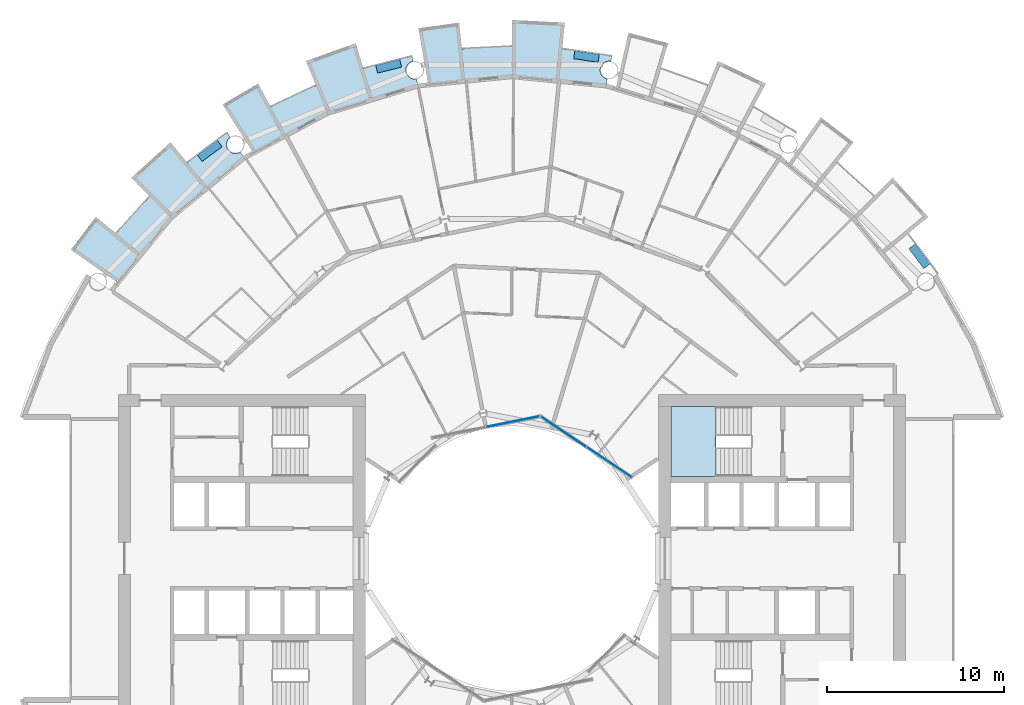
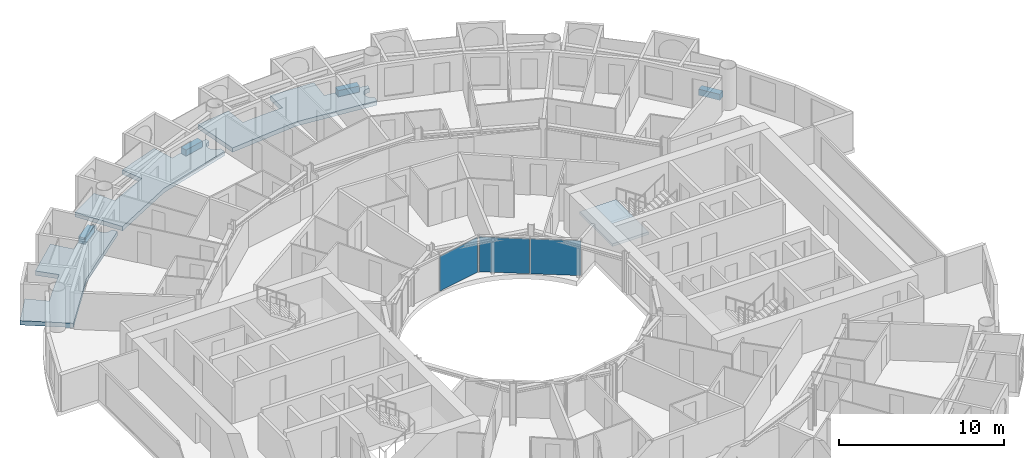
# One storey, part 11 of 26: 8 slabs, 3 plates, 3 elements without a shape of their own.
"""IFC4 building model written with IfcOpenShell, lengths in metres."""

from ifc_helpers import new_model, si_unit, direction, frame, origin, origin_2d, place, context, subcontext, project, spatial, polyline, rectangle, outline, extrude, material, layer, layer_set, type_object, element, aggregate, save


model = new_model("IFC4")

# Units and contexts
model_context = context("Model", 3, precision=1e-05, world=origin(), true_north=direction((0.0, 1.0)))
body_context = subcontext(model_context, "Body", "Model", "MODEL_VIEW")
ifc_project = project(units=[si_unit("LENGTHUNIT", "METRE"), si_unit("AREAUNIT", "SQUARE_METRE"), si_unit("VOLUMEUNIT", "CUBIC_METRE"), si_unit("PLANEANGLEUNIT", "RADIAN"), si_unit("MASSUNIT", "GRAM", prefix="KILO")], contexts=[model_context])

# Site, building, storey
site_placement = place(None, origin())
site = spatial("IfcSite", under=ifc_project, at=site_placement, CompositionType="ELEMENT")
building_placement = place(site_placement, origin())
building = spatial("IfcBuilding", under=site, at=building_placement, Name="Maasbend Ring Residences", CompositionType="ELEMENT")
storey_placement = place(building_placement, frame((0.0, 0.0, 66.64990234375)))
storey = spatial("IfcBuildingStorey", under=building, at=storey_placement, Name="L18", CompositionType="ELEMENT", Elevation=66.64990234375)

# Stair, slab
ifc_material_1 = material(Name="Concrete C40/50", Category="concrete")
stair_type = type_object("IfcStairType", Name="CORE STAIR 18 RISERS", PredefinedType="HALF_TURN_STAIR", material=ifc_material_1)
stair_placement = place(storey_placement, origin())
stair = element("IfcStair", 1, at=stair_placement, inside=storey, type_object=stair_type, Name="L18 Exit stair ST-E1", PredefinedType="HALF_TURN_STAIR")
ifc_material_2 = material(Name="Concrete C40/50", Category="concrete")
ifc_layer_1 = layer(ifc_material_2, 0.199951171875)
ifc_layer_set_1 = layer_set([ifc_layer_1], Name="Concrete C40/50")
slab_type_1 = type_object("IfcSlabType", Name="CORE STAIR LANDING 200", PredefinedType="LANDING", material=ifc_layer_set_1)
slab_1_placement = place(storey_placement, frame((0.0, 0.0, 1.3251953125)))
slab_1 = element("IfcSlab", 2, at=slab_1_placement, type_object=slab_type_1, Name="ST-E1 landing 1", PredefinedType="LANDING", context=body_context, shape_type="SweptSolid", body=[
    extrude(outline(polyline([(11.550048828125, 8.60009765625), (9.0, 8.60009765625), (9.0, 4.64990234375), (11.550048828125, 4.64990234375), (11.550048828125, 8.60009765625)])), origin(), (0.0, 0.0, 1.0), 0.199951171875),
])
aggregate(stair, [slab_1])

# Curtain wall, plates
ifc_material_3 = material(Name="Aluminium and clear glass", Category="aluminium")
ifc_layer_2 = layer(ifc_material_3, 0.179931640625)
ifc_layer_set_2 = layer_set([ifc_layer_2], Name="CW-W")
curtain_wall_type = type_object("IfcCurtainWallType", Name="CW-W", PredefinedType="NOTDEFINED", material=ifc_layer_set_2)
curtain_wall_1_placement = place(storey_placement, origin())
curtain_wall_1 = element("IfcCurtainWall", 3, at=curtain_wall_1_placement, inside=storey, type_object=curtain_wall_type, Name="Well curtain wall N1", PredefinedType="NOTDEFINED")
ifc_material_4 = material(Name="Glass clear laminated", Category="glass")
ifc_layer_3 = layer(ifc_material_4, 0.031982421875)
ifc_layer_set_3 = layer_set([ifc_layer_3], Name="CWP-W")
plate_type = type_object("IfcPlateType", Name="CWP-W", PredefinedType="CURTAIN_PANEL", material=ifc_layer_set_3)
plate_1_placement = place(storey_placement, frame((5.51123046875, 5.44580078125, 0.0), z_axis=(0.0, 0.0, 1.0), x_axis=(-0.831469612303, 0.55557023302, 0.0)))
plate_1 = element("IfcPlate", 4, at=plate_1_placement, type_object=plate_type, Name="Glass panel well face", PredefinedType="CURTAIN_PANEL", context=body_context, shape_type="SweptSolid", body=[
    extrude(rectangle(XDim=3.053955078125, YDim=0.031982421875, at=origin_2d()), origin(), (0.0, 0.0, 1.0), 2.580078125),
])
plate_2_placement = place(storey_placement, frame((2.922119140625, 7.17578125, 0.0), z_axis=(0.0, 0.0, 1.0), x_axis=(-0.831469612303, 0.55557023302, 0.0)))
plate_2 = element("IfcPlate", 5, at=plate_2_placement, type_object=plate_type, Name="Glass panel well face", PredefinedType="CURTAIN_PANEL", context=body_context, shape_type="SweptSolid", body=[
    extrude(rectangle(XDim=3.053955078125, YDim=0.031982421875, at=origin_2d()), origin(), (0.0, 0.0, 1.0), 2.580078125),
])
aggregate(curtain_wall_1, [plate_1, plate_2])

# Curtain wall, plate
curtain_wall_2_placement = place(storey_placement, origin())
curtain_wall_2 = element("IfcCurtainWall", 6, at=curtain_wall_2_placement, inside=storey, type_object=curtain_wall_type, Name="Well curtain wall N2", PredefinedType="NOTDEFINED")
plate_3_placement = place(storey_placement, frame((0.04638671875, 7.747802734375, 0.0), z_axis=(0.0, 0.0, 1.0), x_axis=(-0.980785280403, -0.195090322016, 0.0)))
plate_3 = element("IfcPlate", 7, at=plate_3_placement, type_object=plate_type, Name="Glass panel well face", PredefinedType="CURTAIN_PANEL", context=body_context, shape_type="SweptSolid", body=[
    extrude(rectangle(XDim=3.053955078125, YDim=0.031982421875, at=origin_2d()), origin(), (0.0, 0.0, 1.0), 2.580078125),
])
aggregate(curtain_wall_2, [plate_3])

# Slabs
ifc_material_5 = material(Name="Planting with climbing greenery")
ifc_layer_4 = layer(ifc_material_5, 0.449951171875)
ifc_layer_set_4 = layer_set([ifc_layer_4], Name="PLANTER-LG")
slab_type_2 = type_object("IfcSlabType", Name="PLANTER-LG", PredefinedType="USERDEFINED", material=ifc_layer_set_4)
slab_2_placement = place(storey_placement, frame((0.0, 0.0, -0.02978515625)))
element("IfcSlab", 8, at=slab_2_placement, inside=storey, type_object=slab_type_2, Name="Planter with climbing greenery 1", ObjectType="PLANTER", PredefinedType="USERDEFINED", context=body_context, shape_type="SweptSolid", body=[
    extrude(outline(polyline([(23.681884765625, 16.69189453125), (22.847900390625, 17.81689453125), (22.487060546875, 17.549072265625), (23.321044921875, 16.424072265625), (23.681884765625, 16.69189453125)])), origin(), (0.0, 0.0, 1.0), 0.449951171875),
])
slab_3_placement = place(storey_placement, frame((0.0, 0.0, -0.02978515625)))
element("IfcSlab", 9, at=slab_3_placement, inside=storey, type_object=slab_type_2, Name="Planter with climbing greenery 3", ObjectType="PLANTER", PredefinedType="USERDEFINED", context=body_context, shape_type="SweptSolid", body=[
    extrude(outline(polyline([(4.94189453125, 28.549072265625), (3.55810546875, 28.75390625), (3.491943359375, 28.30908203125), (4.8759765625, 28.10400390625), (4.94189453125, 28.549072265625)])), origin(), (0.0, 0.0, 1.0), 0.449951171875),
])
slab_4_placement = place(storey_placement, frame((0.0, 0.0, -0.02978515625)))
element("IfcSlab", 10, at=slab_4_placement, inside=storey, type_object=slab_type_2, Name="Planter with climbing greenery 4", ObjectType="PLANTER", PredefinedType="USERDEFINED", context=body_context, shape_type="SweptSolid", body=[
    extrude(outline(polyline([(-6.35888671875, 28.26708984375), (-7.717041015625, 27.927001953125), (-7.60791015625, 27.489990234375), (-6.25, 27.8310546875), (-6.35888671875, 28.26708984375)])), origin(), (0.0, 0.0, 1.0), 0.449951171875),
])
slab_5_placement = place(storey_placement, frame((0.0, 0.0, -0.02978515625)))
element("IfcSlab", 11, at=slab_5_placement, inside=storey, type_object=slab_type_2, Name="Planter with climbing greenery 5", ObjectType="PLANTER", PredefinedType="USERDEFINED", context=body_context, shape_type="SweptSolid", body=[
    extrude(outline(polyline([(-16.69189453125, 23.681884765625), (-17.81689453125, 22.847900390625), (-17.549072265625, 22.487060546875), (-16.424072265625, 23.321044921875), (-16.69189453125, 23.681884765625)])), origin(), (0.0, 0.0, 1.0), 0.449951171875),
])
ifc_material_6 = material(Name="Concrete C40/50", Category="concrete")
ifc_layer_5 = layer(ifc_material_6, 0.199951171875)
ifc_layer_set_5 = layer_set([ifc_layer_5], Name="Concrete C40/50")
slab_type_3 = type_object("IfcSlabType", Name="SL-LOGGIA", PredefinedType="FLOOR", material=ifc_layer_set_5)
slab_6_placement = place(storey_placement, frame((0.0, 0.0, -0.349853515625)))
element("IfcSlab", 12, at=slab_6_placement, inside=storey, type_object=slab_type_3, Name="Loggia floor 2", PredefinedType="FLOOR", context=body_context, shape_type="SweptSolid", body=[
    extrude(outline(polyline([(-13.6708984375, 25.575927734375), (-13.6708984375, 25.575927734375), (-13.6708984375, 25.575927734375), (-13.6708984375, 25.575927734375), (-13.6708984375, 25.575927734375), (-13.6708984375, 25.575927734375), (-13.6708984375, 25.575927734375), (-13.669921875, 25.575927734375), (-13.669921875, 25.575927734375), (-13.669921875, 25.575927734375), (-13.669921875, 25.575927734375), (-13.669921875, 25.575927734375), (-13.669921875, 25.575927734375), (-13.669921875, 25.575927734375), (-13.669921875, 25.575927734375), (-13.669921875, 25.575927734375), (-13.669921875, 25.575927734375), (-12.825927734375, 26.009033203125), (-12.825927734375, 26.009033203125), (-11.968994140625, 26.4150390625), (-11.968994140625, 26.4150390625), (-11.097900390625, 26.7919921875), (-11.097900390625, 26.7919921875), (-11.097900390625, 26.7919921875), (-11.097900390625, 26.7919921875), (-11.097900390625, 26.7919921875), (-11.097900390625, 26.7919921875), (-11.097900390625, 26.7919921875), (-11.097900390625, 26.79296875), (-11.097900390625, 26.79296875), (-11.097900390625, 26.79296875), (-11.097900390625, 26.79296875), (-11.097900390625, 26.79296875), (-11.097900390625, 26.79296875), (-11.097900390625, 26.79296875), (-11.097900390625, 26.79296875), (-11.097900390625, 26.79296875), (-11.097900390625, 26.79296875), (-11.672119140625, 28.177978515625), (-11.672119140625, 28.177978515625), (-11.672119140625, 28.177978515625), (-8.85400390625, 29.18701171875), (-8.85400390625, 29.18701171875), (-8.85400390625, 29.18701171875), (-8.41796875, 27.751953125), (-8.41796875, 27.751953125), (-8.41796875, 27.751953125), (-8.41796875, 27.751953125), (-8.41796875, 27.751953125), (-8.41796875, 27.751953125), (-8.41796875, 27.751953125), (-8.41796875, 27.7509765625), (-8.41796875, 27.7509765625), (-8.41796875, 27.7509765625), (-8.41796875, 27.7509765625), (-8.41796875, 27.7509765625), (-8.41796875, 27.7509765625), (-8.41796875, 27.7509765625), (-8.41796875, 27.7509765625), (-8.41796875, 27.7509765625), (-8.41796875, 27.7509765625), (-7.506103515625, 28.011962890625), (-7.506103515625, 28.011962890625), (-6.5849609375, 28.241943359375), (-6.5849609375, 28.241943359375), (-5.657958984375, 28.443115234375), (-5.657958984375, 28.443115234375), (-5.657958984375, 28.443115234375), (-5.60107421875, 28.156005859375), (-5.613037109375, 28.154052734375), (-5.625, 28.15087890625), (-5.636962890625, 28.14794921875), (-5.64892578125, 28.14404296875), (-5.660888671875, 28.139892578125), (-5.673095703125, 28.135986328125), (-5.68408203125, 28.132080078125), (-5.696044921875, 28.126953125), (-5.70703125, 28.123046875), (-5.718994140625, 28.116943359375), (-5.72998046875, 28.112060546875), (-5.740966796875, 28.10595703125), (-5.751953125, 28.10009765625), (-5.762939453125, 28.093994140625), (-5.77294921875, 28.0869140625), (-5.783935546875, 28.080078125), (-5.7939453125, 28.072998046875), (-5.803955078125, 28.06591796875), (-5.81396484375, 28.05908203125), (-5.823974609375, 28.051025390625), (-5.8330078125, 28.04296875), (-5.843017578125, 28.034912109375), (-5.85205078125, 28.02587890625), (-5.861083984375, 28.01708984375), (-5.868896484375, 28.008056640625), (-5.8779296875, 27.9990234375), (-5.885986328125, 27.989990234375), (-5.89404296875, 27.97998046875), (-5.902099609375, 27.970947265625), (-5.909912109375, 27.9609375), (-5.9169921875, 27.950927734375), (-5.924072265625, 27.93994140625), (-5.930908203125, 27.929931640625), (-5.93701171875, 27.9189453125), (-5.944091796875, 27.907958984375), (-5.949951171875, 27.89794921875), (-5.955078125, 27.886962890625), (-5.9609375, 27.875), (-5.966064453125, 27.864013671875), (-5.970947265625, 27.85302734375), (-5.97509765625, 27.841064453125), (-5.97998046875, 27.8291015625), (-5.98388671875, 27.81689453125), (-5.988037109375, 27.805908203125), (-5.990966796875, 27.7939453125), (-5.993896484375, 27.781982421875), (-5.9970703125, 27.76904296875), (-6.0, 27.757080078125), (-6.001953125, 27.7451171875), (-6.00390625, 27.73291015625), (-6.006103515625, 27.719970703125), (-6.007080078125, 27.7080078125), (-6.008056640625, 27.695068359375), (-6.009033203125, 27.68310546875), (-6.009033203125, 27.6708984375), (-6.010009765625, 27.657958984375), (-6.009033203125, 27.64599609375), (-6.009033203125, 27.633056640625), (-6.008056640625, 27.62109375), (-6.007080078125, 27.60791015625), (-6.006103515625, 27.595947265625), (-6.00390625, 27.583984375), (-6.001953125, 27.571044921875), (-6.0, 27.55908203125), (-5.9970703125, 27.547119140625), (-5.993896484375, 27.534912109375), (-5.990966796875, 27.52294921875), (-5.988037109375, 27.510986328125), (-5.98388671875, 27.4990234375), (-5.97998046875, 27.487060546875), (-5.97509765625, 27.47509765625), (-5.970947265625, 27.464111328125), (-5.966064453125, 27.451904296875), (-5.9609375, 27.44091796875), (-5.955078125, 27.429931640625), (-5.949951171875, 27.4189453125), (-5.944091796875, 27.407958984375), (-5.93701171875, 27.39697265625), (-5.930908203125, 27.385986328125), (-5.924072265625, 27.3759765625), (-5.9169921875, 27.365966796875), (-5.909912109375, 27.35498046875), (-5.902099609375, 27.345947265625), (-5.89404296875, 27.3359375), (-5.885986328125, 27.325927734375), (-5.8779296875, 27.31689453125), (-5.868896484375, 27.30810546875), (-5.861083984375, 27.299072265625), (-5.85205078125, 27.2900390625), (-5.843017578125, 27.281982421875), (-5.8330078125, 27.27294921875), (-5.823974609375, 27.264892578125), (-5.81396484375, 27.258056640625), (-5.803955078125, 27.25), (-5.7939453125, 27.242919921875), (-5.783935546875, 27.236083984375), (-5.77294921875, 27.22900390625), (-5.762939453125, 27.221923828125), (-5.751953125, 27.216064453125), (-5.740966796875, 27.2099609375), (-5.72998046875, 27.2041015625), (-5.718994140625, 27.198974609375), (-5.70703125, 27.194091796875), (-5.696044921875, 27.18896484375), (-5.68408203125, 27.18408203125), (-5.673095703125, 27.179931640625), (-5.660888671875, 27.176025390625), (-5.64892578125, 27.172119140625), (-5.636962890625, 27.1689453125), (-5.625, 27.1650390625), (-5.613037109375, 27.162109375), (-5.60107421875, 27.159912109375), (-5.587890625, 27.157958984375), (-5.575927734375, 27.156005859375), (-5.56396484375, 27.154052734375), (-5.551025390625, 27.153076171875), (-5.5390625, 27.15087890625), (-5.52587890625, 27.15087890625), (-5.513916015625, 27.14990234375), (-5.501953125, 27.14990234375), (-5.489013671875, 27.14990234375), (-5.47705078125, 27.15087890625), (-5.464111328125, 27.15087890625), (-5.451904296875, 27.153076171875), (-5.43896484375, 27.154052734375), (-5.427001953125, 27.156005859375), (-5.4150390625, 27.157958984375), (-5.402099609375, 27.159912109375), (-5.325927734375, 26.77490234375), (-5.325927734375, 26.77490234375), (-5.325927734375, 26.77490234375), (-7.886962890625, 25.9990234375), (-10.447021484375, 25.221923828125), (-10.447021484375, 25.221923828125), (-10.447021484375, 25.221923828125), (-12.806884765625, 23.9609375), (-14.64599609375, 22.97705078125), (-14.64599609375, 22.97705078125), (-14.64599609375, 22.97705078125), (-16.39404296875, 25.718994140625), (-16.39404296875, 25.718994140625), (-16.39404296875, 25.718994140625), (-14.3779296875, 26.89892578125), (-14.3779296875, 26.89892578125), (-14.3779296875, 26.89892578125), (-13.6708984375, 25.575927734375)])), origin(), (0.0, 0.0, 1.0), 0.320068359375),
])
slab_7_placement = place(storey_placement, frame((0.0, 0.0, -0.349853515625)))
element("IfcSlab", 13, at=slab_7_placement, inside=storey, type_object=slab_type_3, Name="Loggia floor 3", PredefinedType="FLOOR", context=body_context, shape_type="SweptSolid", body=[
    extrude(outline(polyline([(-2.843017578125, 28.861083984375), (-2.843017578125, 28.861083984375), (-2.843017578125, 28.861083984375), (-2.843017578125, 28.861083984375), (-2.842041015625, 28.861083984375), (-2.842041015625, 28.861083984375), (-2.842041015625, 28.861083984375), (-2.842041015625, 28.861083984375), (-2.842041015625, 28.861083984375), (-2.842041015625, 28.860107421875), (-2.842041015625, 28.860107421875), (-2.842041015625, 28.860107421875), (-2.842041015625, 28.860107421875), (-2.842041015625, 28.860107421875), (-2.842041015625, 28.860107421875), (-2.842041015625, 28.860107421875), (-2.842041015625, 28.860107421875), (-1.89697265625, 28.93798828125), (-1.89697265625, 28.93798828125), (-0.948974609375, 28.98388671875), (-0.948974609375, 28.98388671875), (0.0, 29.0), (0.0, 29.0), (0.0, 29.0), (0.0, 29.0), (0.0, 29.0), (0.0, 29.0), (0.0, 29.0), (0.0, 29.0), (0.0, 29.0), (0.0, 29.0), (0.0, 29.0), (0.0, 29.0), (0.0, 29.0), (0.0, 29.0), (0.0, 29.0), (0.0, 29.0), (0.0, 29.0), (0.0, 30.5), (0.0, 30.5), (0.0, 30.5), (2.989990234375, 30.35302734375), (2.989990234375, 30.35302734375), (2.989990234375, 30.35302734375), (2.843017578125, 28.861083984375), (2.843017578125, 28.861083984375), (2.843017578125, 28.861083984375), (2.843017578125, 28.861083984375), (2.843017578125, 28.861083984375), (2.843017578125, 28.861083984375), (2.843017578125, 28.861083984375), (2.843017578125, 28.861083984375), (2.843017578125, 28.860107421875), (2.843017578125, 28.860107421875), (2.843017578125, 28.860107421875), (2.843017578125, 28.860107421875), (2.843017578125, 28.860107421875), (2.843017578125, 28.860107421875), (2.843017578125, 28.860107421875), (2.843017578125, 28.860107421875), (2.843017578125, 28.860107421875), (3.784912109375, 28.751953125), (3.784912109375, 28.751953125), (4.72412109375, 28.613037109375), (4.72412109375, 28.613037109375), (5.657958984375, 28.443115234375), (5.657958984375, 28.443115234375), (5.657958984375, 28.443115234375), (5.60107421875, 28.156005859375), (5.60107421875, 28.156005859375), (5.587890625, 28.158935546875), (5.575927734375, 28.160888671875), (5.56396484375, 28.162109375), (5.551025390625, 28.1640625), (5.5390625, 28.1650390625), (5.52587890625, 28.1650390625), (5.513916015625, 28.166015625), (5.501953125, 28.166015625), (5.489013671875, 28.166015625), (5.47705078125, 28.1650390625), (5.464111328125, 28.1650390625), (5.451904296875, 28.1640625), (5.43896484375, 28.162109375), (5.427001953125, 28.160888671875), (5.4150390625, 28.158935546875), (5.402099609375, 28.156005859375), (5.389892578125, 28.154052734375), (5.3779296875, 28.15087890625), (5.365966796875, 28.14794921875), (5.35400390625, 28.14404296875), (5.342041015625, 28.139892578125), (5.330078125, 28.135986328125), (5.319091796875, 28.132080078125), (5.306884765625, 28.126953125), (5.2958984375, 28.123046875), (5.283935546875, 28.116943359375), (5.27294921875, 28.112060546875), (5.261962890625, 28.10595703125), (5.2509765625, 28.10009765625), (5.239990234375, 28.093994140625), (5.22998046875, 28.0869140625), (5.218994140625, 28.080078125), (5.208984375, 28.072998046875), (5.198974609375, 28.06591796875), (5.18896484375, 28.05908203125), (5.178955078125, 28.051025390625), (5.169921875, 28.04296875), (5.159912109375, 28.034912109375), (5.15087890625, 28.02587890625), (5.14208984375, 28.01708984375), (5.134033203125, 28.008056640625), (5.125, 27.9990234375), (5.116943359375, 27.989990234375), (5.10888671875, 27.97998046875), (5.10107421875, 27.970947265625), (5.093017578125, 27.9609375), (5.0859375, 27.950927734375), (5.0791015625, 27.93994140625), (5.072021484375, 27.929931640625), (5.06591796875, 27.9189453125), (5.05908203125, 27.907958984375), (5.052978515625, 27.89794921875), (5.048095703125, 27.886962890625), (5.0419921875, 27.875), (5.037109375, 27.864013671875), (5.031982421875, 27.85302734375), (5.028076171875, 27.841064453125), (5.02294921875, 27.8291015625), (5.01904296875, 27.81689453125), (5.014892578125, 27.805908203125), (5.011962890625, 27.7939453125), (5.009033203125, 27.781982421875), (5.006103515625, 27.76904296875), (5.0029296875, 27.757080078125), (5.0009765625, 27.7451171875), (4.9990234375, 27.73291015625), (4.9970703125, 27.719970703125), (4.99609375, 27.7080078125), (4.9951171875, 27.695068359375), (4.993896484375, 27.68310546875), (4.993896484375, 27.6708984375), (4.993896484375, 27.657958984375), (4.993896484375, 27.64599609375), (4.993896484375, 27.633056640625), (4.9951171875, 27.62109375), (4.99609375, 27.60791015625), (4.9970703125, 27.595947265625), (4.9990234375, 27.583984375), (5.0009765625, 27.571044921875), (5.0029296875, 27.55908203125), (5.006103515625, 27.547119140625), (5.009033203125, 27.534912109375), (5.011962890625, 27.52294921875), (5.014892578125, 27.510986328125), (5.01904296875, 27.4990234375), (5.02294921875, 27.487060546875), (5.028076171875, 27.47509765625), (5.031982421875, 27.464111328125), (5.037109375, 27.451904296875), (5.0419921875, 27.44091796875), (5.048095703125, 27.429931640625), (5.052978515625, 27.4189453125), (5.05908203125, 27.407958984375), (5.06591796875, 27.39697265625), (5.072021484375, 27.385986328125), (5.0791015625, 27.3759765625), (5.0859375, 27.365966796875), (5.093017578125, 27.35498046875), (5.10107421875, 27.345947265625), (5.10888671875, 27.3359375), (5.116943359375, 27.325927734375), (5.125, 27.31689453125), (5.134033203125, 27.30810546875), (5.14208984375, 27.299072265625), (5.15087890625, 27.2900390625), (5.159912109375, 27.281982421875), (5.169921875, 27.27294921875), (5.178955078125, 27.264892578125), (5.18896484375, 27.258056640625), (5.198974609375, 27.25), (5.208984375, 27.242919921875), (5.218994140625, 27.236083984375), (5.22998046875, 27.22900390625), (5.239990234375, 27.221923828125), (5.2509765625, 27.216064453125), (5.261962890625, 27.2099609375), (5.27294921875, 27.2041015625), (5.283935546875, 27.198974609375), (5.2958984375, 27.194091796875), (5.306884765625, 27.18896484375), (5.319091796875, 27.18408203125), (5.330078125, 27.179931640625), (5.342041015625, 27.176025390625), (5.35400390625, 27.172119140625), (5.365966796875, 27.1689453125), (5.3779296875, 27.1650390625), (5.389892578125, 27.162109375), (5.402099609375, 27.159912109375), (5.402099609375, 27.159912109375), (5.325927734375, 26.77490234375), (5.325927734375, 26.77490234375), (5.325927734375, 26.77490234375), (2.6630859375, 27.0380859375), (0.0, 27.300048828125), (0.0, 27.300048828125), (0.0, 27.300048828125), (-2.6630859375, 27.0380859375), (-4.739013671875, 26.8330078125), (-4.739013671875, 26.8330078125), (-4.739013671875, 26.8330078125), (-5.303955078125, 30.034912109375), (-5.303955078125, 30.034912109375), (-5.303955078125, 30.034912109375), (-2.989990234375, 30.35302734375), (-2.989990234375, 30.35302734375), (-2.989990234375, 30.35302734375), (-2.843017578125, 28.861083984375)])), origin(), (0.0, 0.0, 1.0), 0.320068359375),
])
slab_8_placement = place(storey_placement, frame((0.0, 0.0, -0.349853515625)))
element("IfcSlab", 14, at=slab_8_placement, inside=storey, type_object=slab_type_3, Name="Loggia floor 5", PredefinedType="FLOOR", context=body_context, shape_type="SweptSolid", body=[
    extrude(outline(polyline([(-22.41796875, 18.39794921875), (-22.41796875, 18.39794921875), (-22.41796875, 18.39794921875), (-22.41796875, 18.39794921875), (-22.41796875, 18.39794921875), (-22.4169921875, 18.39794921875), (-22.4169921875, 18.39794921875), (-22.4169921875, 18.39794921875), (-22.4169921875, 18.39794921875), (-22.4169921875, 18.39794921875), (-22.4169921875, 18.39794921875), (-22.4169921875, 18.39794921875), (-22.4169921875, 18.39794921875), (-22.4169921875, 18.39794921875), (-22.4169921875, 18.39794921875), (-22.4169921875, 18.39794921875), (-22.4169921875, 18.39794921875), (-21.802978515625, 19.12109375), (-21.802978515625, 19.12109375), (-21.166015625, 19.823974609375), (-21.166015625, 19.823974609375), (-20.506103515625, 20.506103515625), (-20.506103515625, 20.506103515625), (-20.506103515625, 20.506103515625), (-20.506103515625, 20.506103515625), (-20.506103515625, 20.506103515625), (-20.506103515625, 20.506103515625), (-20.506103515625, 20.506103515625), (-20.506103515625, 20.506103515625), (-20.506103515625, 20.506103515625), (-20.506103515625, 20.506103515625), (-20.506103515625, 20.506103515625), (-20.506103515625, 20.506103515625), (-20.506103515625, 20.506103515625), (-20.506103515625, 20.506103515625), (-20.506103515625, 20.506103515625), (-20.506103515625, 20.506103515625), (-20.506103515625, 20.506103515625), (-21.56689453125, 21.56689453125), (-21.56689453125, 21.56689453125), (-21.56689453125, 21.56689453125), (-19.34912109375, 23.576904296875), (-19.34912109375, 23.576904296875), (-19.34912109375, 23.576904296875), (-18.39794921875, 22.41796875), (-18.39794921875, 22.41796875), (-18.39794921875, 22.41796875), (-18.39794921875, 22.41796875), (-18.39794921875, 22.41796875), (-18.39794921875, 22.41796875), (-18.39697265625, 22.41796875), (-18.39697265625, 22.41796875), (-18.39697265625, 22.41796875), (-18.39697265625, 22.41796875), (-18.39697265625, 22.41796875), (-18.39697265625, 22.41796875), (-18.39697265625, 22.41796875), (-18.39697265625, 22.41796875), (-18.39697265625, 22.41796875), (-18.39697265625, 22.41796875), (-18.39697265625, 22.41796875), (-17.654052734375, 23.007080078125), (-17.654052734375, 23.007080078125), (-16.89208984375, 23.572998046875), (-16.89208984375, 23.572998046875), (-16.112060546875, 24.113037109375), (-16.112060546875, 24.113037109375), (-16.112060546875, 24.113037109375), (-15.948974609375, 23.8701171875), (-15.948974609375, 23.8701171875), (-15.9599609375, 23.863037109375), (-15.969970703125, 23.85498046875), (-15.97998046875, 23.847900390625), (-15.989013671875, 23.840087890625), (-15.9990234375, 23.83203125), (-16.008056640625, 23.823974609375), (-16.01708984375, 23.81494140625), (-16.02587890625, 23.806884765625), (-16.034912109375, 23.798095703125), (-16.0439453125, 23.7890625), (-16.052001953125, 23.779052734375), (-16.06005859375, 23.77001953125), (-16.068115234375, 23.760009765625), (-16.074951171875, 23.75), (-16.08203125, 23.739990234375), (-16.089111328125, 23.72998046875), (-16.095947265625, 23.718994140625), (-16.10302734375, 23.708984375), (-16.10888671875, 23.697998046875), (-16.114990234375, 23.68701171875), (-16.12109375, 23.676025390625), (-16.1259765625, 23.6650390625), (-16.132080078125, 23.653076171875), (-16.135986328125, 23.64208984375), (-16.14111328125, 23.6298828125), (-16.14501953125, 23.618896484375), (-16.14892578125, 23.60693359375), (-16.153076171875, 23.594970703125), (-16.156982421875, 23.5830078125), (-16.159912109375, 23.571044921875), (-16.1630859375, 23.55908203125), (-16.1650390625, 23.547119140625), (-16.16796875, 23.533935546875), (-16.169921875, 23.52197265625), (-16.1708984375, 23.510009765625), (-16.173095703125, 23.4970703125), (-16.174072265625, 23.485107421875), (-16.174072265625, 23.471923828125), (-16.175048828125, 23.4599609375), (-16.175048828125, 23.447021484375), (-16.175048828125, 23.43505859375), (-16.174072265625, 23.422119140625), (-16.174072265625, 23.409912109375), (-16.173095703125, 23.39794921875), (-16.1708984375, 23.385009765625), (-16.169921875, 23.373046875), (-16.16796875, 23.361083984375), (-16.1650390625, 23.347900390625), (-16.1630859375, 23.3359375), (-16.159912109375, 23.323974609375), (-16.156982421875, 23.31201171875), (-16.153076171875, 23.300048828125), (-16.14892578125, 23.2880859375), (-16.14501953125, 23.27587890625), (-16.14111328125, 23.264892578125), (-16.135986328125, 23.2529296875), (-16.132080078125, 23.241943359375), (-16.1259765625, 23.22998046875), (-16.12109375, 23.218994140625), (-16.114990234375, 23.2080078125), (-16.10888671875, 23.197021484375), (-16.10302734375, 23.18603515625), (-16.095947265625, 23.176025390625), (-16.089111328125, 23.1650390625), (-16.08203125, 23.155029296875), (-16.074951171875, 23.14501953125), (-16.068115234375, 23.135009765625), (-16.06005859375, 23.125), (-16.052001953125, 23.115966796875), (-16.0439453125, 23.10595703125), (-16.034912109375, 23.096923828125), (-16.02587890625, 23.087890625), (-16.01708984375, 23.0791015625), (-16.008056640625, 23.071044921875), (-15.9990234375, 23.06298828125), (-15.989013671875, 23.054931640625), (-15.97998046875, 23.047119140625), (-15.969970703125, 23.0390625), (-15.9599609375, 23.031982421875), (-15.948974609375, 23.02490234375), (-15.93896484375, 23.01806640625), (-15.927978515625, 23.011962890625), (-15.9169921875, 23.0048828125), (-15.906982421875, 22.9990234375), (-15.89599609375, 22.993896484375), (-15.884033203125, 22.988037109375), (-15.873046875, 22.98291015625), (-15.862060546875, 22.97802734375), (-15.85009765625, 22.972900390625), (-15.837890625, 22.968994140625), (-15.825927734375, 22.965087890625), (-15.81494140625, 22.9609375), (-15.802978515625, 22.9580078125), (-15.791015625, 22.955078125), (-15.778076171875, 22.951904296875), (-15.76611328125, 22.948974609375), (-15.75390625, 22.947021484375), (-15.741943359375, 22.945068359375), (-15.72900390625, 22.943115234375), (-15.717041015625, 22.94189453125), (-15.7041015625, 22.94091796875), (-15.69189453125, 22.93994140625), (-15.679931640625, 22.93994140625), (-15.6669921875, 22.93896484375), (-15.655029296875, 22.93994140625), (-15.64208984375, 22.93994140625), (-15.6298828125, 22.94091796875), (-15.616943359375, 22.94189453125), (-15.60498046875, 22.943115234375), (-15.593017578125, 22.945068359375), (-15.580078125, 22.947021484375), (-15.568115234375, 22.948974609375), (-15.555908203125, 22.951904296875), (-15.5439453125, 22.955078125), (-15.531982421875, 22.9580078125), (-15.52001953125, 22.9609375), (-15.508056640625, 22.965087890625), (-15.49609375, 22.968994140625), (-15.48388671875, 22.972900390625), (-15.472900390625, 22.97802734375), (-15.4609375, 22.98291015625), (-15.449951171875, 22.988037109375), (-15.43896484375, 22.993896484375), (-15.427978515625, 22.9990234375), (-15.4169921875, 23.0048828125), (-15.406005859375, 23.011962890625), (-15.39501953125, 23.01806640625), (-15.385009765625, 23.02490234375), (-15.385009765625, 23.02490234375), (-15.1669921875, 22.698974609375), (-15.1669921875, 22.698974609375), (-15.1669921875, 22.698974609375), (-17.236083984375, 21.001953125), (-19.303955078125, 19.303955078125), (-19.303955078125, 19.303955078125), (-19.303955078125, 19.303955078125), (-21.001953125, 17.236083984375), (-22.324951171875, 15.623046875), (-22.324951171875, 15.623046875), (-22.324951171875, 15.623046875), (-24.989013671875, 17.488037109375), (-24.989013671875, 17.488037109375), (-24.989013671875, 17.488037109375), (-23.576904296875, 19.34912109375), (-23.576904296875, 19.34912109375), (-23.576904296875, 19.34912109375), (-22.41796875, 18.39794921875)])), origin(), (0.0, 0.0, 1.0), 0.320068359375),
])

save(model, "model.ifc")
